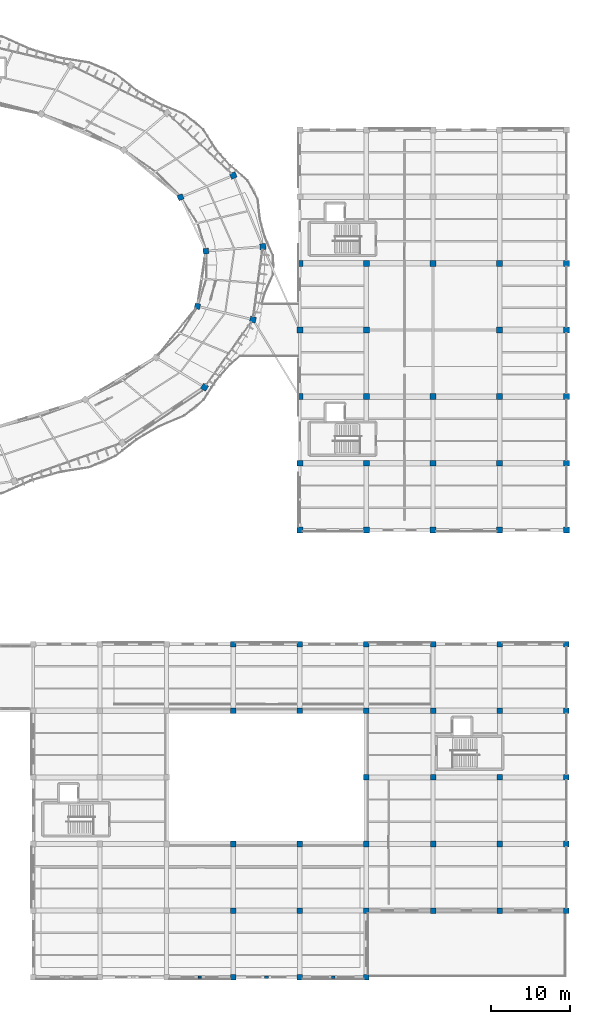
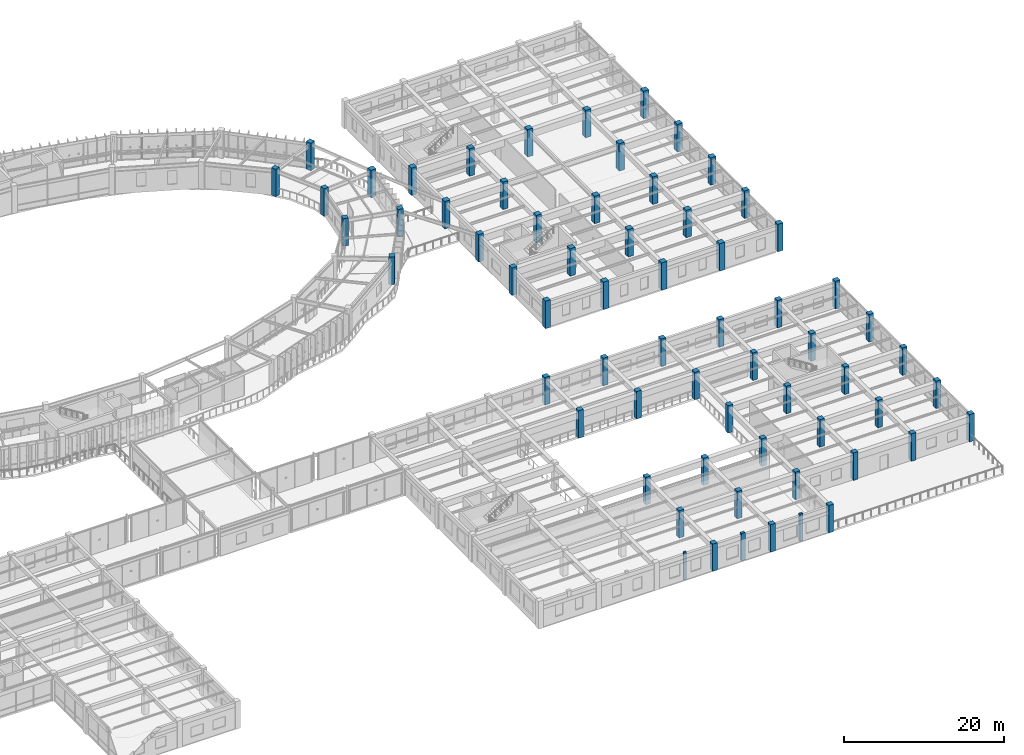
# One storey, part 7 of 152: 65 columns.
"""IFC4 building model written with IfcOpenShell, lengths in metres."""

from ifc_helpers import new_model, si_unit, direction, frame, origin, origin_2d, place, context, subcontext, project, spatial, rectangle, extrude, material, material_profile, profile_set, type_object, element, save


model = new_model("IFC4")

# Units and contexts
model_context = context("Model", 3, precision=1e-05, world=origin(), true_north=direction((0.0, 1.0)))
body_context = subcontext(model_context, "Body", "Model", "MODEL_VIEW")
ifc_project = project(units=[si_unit("LENGTHUNIT", "METRE"), si_unit("AREAUNIT", "SQUARE_METRE"), si_unit("VOLUMEUNIT", "CUBIC_METRE"), si_unit("PLANEANGLEUNIT", "RADIAN"), si_unit("MASSUNIT", "GRAM", prefix="KILO"), si_unit("THERMODYNAMICTEMPERATUREUNIT", "KELVIN"), si_unit("POWERUNIT", "WATT")], contexts=[model_context])

# Site, building, storey
site_placement = place(None, origin())
site = spatial("IfcSite", under=ifc_project, at=site_placement, CompositionType="ELEMENT")
building_placement = place(site_placement, origin())
building = spatial("IfcBuilding", under=site, at=building_placement, Name="Darbajah Civic Hall", CompositionType="ELEMENT")
storey_placement = place(building_placement, frame((0.0, 0.0, 5.39990234375)))
storey = spatial("IfcBuildingStorey", under=building, at=storey_placement, Name="L01", CompositionType="ELEMENT", Elevation=5.39990234375)

# Columns
ifc_material_1 = material(Name="Concrete C45/55", Category="concrete")
ifc_material_profile_1 = material_profile(ifc_material_1, rectangle(XDim=0.39990234375, YDim=0.25, at=origin_2d()), Name="PILASTER 400x250")
ifc_profile_set_1 = profile_set([ifc_material_profile_1], Name="Concrete C45/55")
column_type_1 = type_object("IfcColumnType", Name="PILASTER 400x250", PredefinedType="PILASTER", material=ifc_profile_set_1)
column_1_placement = place(storey_placement, frame((132.0, 0.0, 0.0), z_axis=(0.0, 0.0, 1.0), x_axis=(1.0, 0.0, 0.0)))
element("IfcColumn", 1, at=column_1_placement, inside=storey, type_object=column_type_1, Name="L01 column PL-400", PredefinedType="PILASTER", context=body_context, shape_type="SweptSolid", body=[
    extrude(rectangle(XDim=0.39990234375, YDim=0.25, at=origin_2d()), origin(), (0.0, 0.0, 1.0), 4.2001953125),
])
ifc_material_profile_2 = material_profile(ifc_material_1, rectangle(XDim=0.449951171875, YDim=0.300048828125, at=origin_2d()), Name="PILASTER 450x300")
ifc_profile_set_2 = profile_set([ifc_material_profile_2], Name="Concrete C45/55")
column_type_2 = type_object("IfcColumnType", Name="PILASTER 450x300", PredefinedType="PILASTER", material=ifc_profile_set_2)
column_2_placement = place(storey_placement, frame((148.800048828125, 0.0, 0.0), z_axis=(0.0, 0.0, 1.0), x_axis=(1.0, 0.0, 0.0)))
element("IfcColumn", 2, at=column_2_placement, inside=storey, type_object=column_type_2, Name="L01 column PL-450", PredefinedType="PILASTER", context=body_context, shape_type="SweptSolid", body=[
    extrude(rectangle(XDim=0.449951171875, YDim=0.300048828125, at=origin_2d()), origin(), (0.0, 0.0, 1.0), 4.2001953125),
])
ifc_material_profile_3 = material_profile(ifc_material_1, rectangle(XDim=0.550048828125, YDim=0.35009765625, at=origin_2d()), Name="PILASTER 550x350")
ifc_profile_set_3 = profile_set([ifc_material_profile_3], Name="Concrete C45/55")
column_type_3 = type_object("IfcColumnType", Name="PILASTER 550x350", PredefinedType="PILASTER", material=ifc_profile_set_3)
column_3_placement = place(storey_placement, frame((140.39990234375, 0.0, 0.0), z_axis=(0.0, 0.0, 1.0), x_axis=(1.0, 0.0, 0.0)))
element("IfcColumn", 3, at=column_3_placement, inside=storey, type_object=column_type_3, Name="L01 column PL-550", PredefinedType="PILASTER", context=body_context, shape_type="SweptSolid", body=[
    extrude(rectangle(XDim=0.550048828125, YDim=0.35009765625, at=origin_2d()), origin(), (0.0, 0.0, 1.0), 4.2001953125),
])
ifc_material_profile_4 = material_profile(ifc_material_1, rectangle(XDim=0.699951171875, YDim=0.699951171875, at=origin_2d()), Name="RC COL 700x700")
ifc_profile_set_4 = profile_set([ifc_material_profile_4], Name="Concrete C45/55")
column_type_4 = type_object("IfcColumnType", Name="RC COL 700x700", PredefinedType="COLUMN", material=ifc_profile_set_4)
for number, where, z_axis, x_axis, name in (
    (4, (132.764892578125, 91.549560546875, 0.0), (0.0, 0.0, 1.0), (0.996917333733, 0.078459095728, 0.0), "L01 column C-RC700"),
    (5, (129.56591796875, 98.333740234375, 0.0), (0.0, 0.0, 1.0), (0.923879532511, 0.382683432365, 0.0), "L01 column C-RC700"),
    (6, (131.689697265625, 84.59423828125, 0.0), (0.0, 0.0, 1.0), (0.972369920398, -0.233445363856, 0.0), "L01 column C-RC700"),
    (7, (136.199951171875, 0.0, 0.0), (0.0, 0.0, 1.0), (1.0, 0.0, 0.0), "L01 column C-RC700"),
    (8, (136.199951171875, 8.39990234375, 0.0), (0.0, 0.0, 1.0), (1.0, 0.0, 0.0), "L01 column C-RC700"),
    (9, (136.199951171875, 16.800048828125, 0.0), (0.0, 0.0, 1.0), (1.0, 0.0, 0.0), "L01 column C-RC700"),
    (10, (136.199951171875, 33.60009765625, 0.0), (0.0, 0.0, 1.0), (1.0, 0.0, 0.0), "L01 column C-RC700"),
    (11, (136.199951171875, 42.0, 0.0), (0.0, 0.0, 1.0), (1.0, 0.0, 0.0), "L01 column C-RC700"),
    (12, (144.60009765625, 0.0, 0.0), (0.0, 0.0, 1.0), (1.0, 0.0, 0.0), "L01 column C-RC700"),
    (13, (144.60009765625, 8.39990234375, 0.0), (0.0, 0.0, 1.0), (1.0, 0.0, 0.0), "L01 column C-RC700"),
    (14, (144.60009765625, 16.800048828125, 0.0), (0.0, 0.0, 1.0), (1.0, 0.0, 0.0), "L01 column C-RC700"),
    (15, (144.60009765625, 33.60009765625, 0.0), (0.0, 0.0, 1.0), (1.0, 0.0, 0.0), "L01 column C-RC700"),
    (16, (144.60009765625, 42.0, 0.0), (0.0, 0.0, 1.0), (1.0, 0.0, 0.0), "L01 column C-RC700"),
    (17, (153.0, 0.0, 0.0), (0.0, 0.0, 1.0), (1.0, 0.0, 0.0), "L01 column C-RC700"),
    (18, (153.0, 8.39990234375, 0.0), (0.0, 0.0, 1.0), (1.0, 0.0, 0.0), "L01 column C-RC700"),
    (19, (153.0, 16.800048828125, 0.0), (0.0, 0.0, 1.0), (1.0, 0.0, 0.0), "L01 column C-RC700"),
    (20, (153.0, 25.199951171875, 0.0), (0.0, 0.0, 1.0), (1.0, 0.0, 0.0), "L01 column C-RC700"),
    (21, (153.0, 33.60009765625, 0.0), (0.0, 0.0, 1.0), (1.0, 0.0, 0.0), "L01 column C-RC700"),
    (22, (153.0, 42.0, 0.0), (0.0, 0.0, 1.0), (1.0, 0.0, 0.0), "L01 column C-RC700"),
    (23, (161.39990234375, 8.39990234375, 0.0), (0.0, 0.0, 1.0), (1.0, 0.0, 0.0), "L01 column C-RC700"),
    (24, (161.39990234375, 16.800048828125, 0.0), (0.0, 0.0, 1.0), (1.0, 0.0, 0.0), "L01 column C-RC700"),
    (25, (161.39990234375, 25.199951171875, 0.0), (0.0, 0.0, 1.0), (1.0, 0.0, 0.0), "L01 column C-RC700"),
    (26, (161.39990234375, 33.60009765625, 0.0), (0.0, 0.0, 1.0), (1.0, 0.0, 0.0), "L01 column C-RC700"),
    (27, (161.39990234375, 42.0, 0.0), (0.0, 0.0, 1.0), (1.0, 0.0, 0.0), "L01 column C-RC700"),
    (28, (169.800048828125, 8.39990234375, 0.0), (0.0, 0.0, 1.0), (1.0, 0.0, 0.0), "L01 column C-RC700"),
    (29, (169.800048828125, 16.800048828125, 0.0), (0.0, 0.0, 1.0), (1.0, 0.0, 0.0), "L01 column C-RC700"),
    (30, (169.800048828125, 25.199951171875, 0.0), (0.0, 0.0, 1.0), (1.0, 0.0, 0.0), "L01 column C-RC700"),
    (31, (169.800048828125, 33.60009765625, 0.0), (0.0, 0.0, 1.0), (1.0, 0.0, 0.0), "L01 column C-RC700"),
    (32, (169.800048828125, 42.0, 0.0), (0.0, 0.0, 1.0), (1.0, 0.0, 0.0), "L01 column C-RC700"),
    (33, (178.199951171875, 8.39990234375, 0.0), (0.0, 0.0, 1.0), (1.0, 0.0, 0.0), "L01 column C-RC700"),
    (34, (178.199951171875, 16.800048828125, 0.0), (0.0, 0.0, 1.0), (1.0, 0.0, 0.0), "L01 column C-RC700"),
    (35, (178.199951171875, 25.199951171875, 0.0), (0.0, 0.0, 1.0), (1.0, 0.0, 0.0), "L01 column C-RC700"),
    (36, (178.199951171875, 33.60009765625, 0.0), (0.0, 0.0, 1.0), (1.0, 0.0, 0.0), "L01 column C-RC700"),
    (37, (178.199951171875, 42.0, 0.0), (0.0, 0.0, 1.0), (1.0, 0.0, 0.0), "L01 column C-RC700"),
):
    element("IfcColumn", number, at=place(storey_placement, frame(where, z_axis=z_axis, x_axis=x_axis)), inside=storey, type_object=column_type_4, Name=name, PredefinedType="COLUMN", context=body_context, shape_type="SweptSolid", body=[
        extrude(rectangle(XDim=0.699951171875, YDim=0.699951171875, at=origin_2d()), origin(), (0.0, 0.0, 1.0), 4.2001953125),
    ])
ifc_material_2 = material(Name="Concrete C50/60", Category="concrete")
ifc_material_profile_5 = material_profile(ifc_material_2, rectangle(XDim=0.75, YDim=0.75, at=origin_2d()), Name="RC COL 750x750")
ifc_profile_set_5 = profile_set([ifc_material_profile_5], Name="Concrete C50/60")
column_type_5 = type_object("IfcColumnType", Name="RC COL 750x750", PredefinedType="COLUMN", material=ifc_profile_set_5)
for number, where, z_axis, x_axis, name in (
    (38, (139.94287109375, 92.114501953125, 0.0), (0.0, 0.0, 1.0), (0.996917333733, 0.078459095728, 0.0), "L01 column C-RC750"),
    (39, (136.218017578125, 101.089111328125, 0.0), (0.0, 0.0, 1.0), (0.923879532511, 0.382683432365, 0.0), "L01 column C-RC750"),
    (40, (132.584716796875, 74.38623046875, 0.0), (0.0, 0.0, 1.0), (0.852640164354, -0.522498564716, 0.0), "L01 column C-RC750"),
    (41, (138.69091796875, 82.913330078125, 0.0), (0.0, 0.0, 1.0), (0.972369920398, -0.233445363856, 0.0), "L01 column C-RC750"),
    (42, (144.60009765625, 56.39990234375, 0.0), (0.0, 0.0, 1.0), (1.0, 0.0, 0.0), "L01 column C-RC750"),
    (43, (144.60009765625, 64.800048828125, 0.0), (0.0, 0.0, 1.0), (1.0, 0.0, 0.0), "L01 column C-RC750"),
    (44, (144.60009765625, 73.199951171875, 0.0), (0.0, 0.0, 1.0), (1.0, 0.0, 0.0), "L01 column C-RC750"),
    (45, (144.60009765625, 81.60009765625, 0.0), (0.0, 0.0, 1.0), (1.0, 0.0, 0.0), "L01 column C-RC750"),
    (46, (144.60009765625, 90.0, 0.0), (0.0, 0.0, 1.0), (1.0, 0.0, 0.0), "L01 column C-RC750"),
    (47, (153.0, 56.39990234375, 0.0), (0.0, 0.0, 1.0), (1.0, 0.0, 0.0), "L01 column C-RC750"),
    (48, (153.0, 64.800048828125, 0.0), (0.0, 0.0, 1.0), (1.0, 0.0, 0.0), "L01 column C-RC750"),
    (49, (153.0, 73.199951171875, 0.0), (0.0, 0.0, 1.0), (1.0, 0.0, 0.0), "L01 column C-RC750"),
    (50, (153.0, 81.60009765625, 0.0), (0.0, 0.0, 1.0), (1.0, 0.0, 0.0), "L01 column C-RC750"),
    (51, (153.0, 90.0, 0.0), (0.0, 0.0, 1.0), (1.0, 0.0, 0.0), "L01 column C-RC750"),
    (52, (161.39990234375, 56.39990234375, 0.0), (0.0, 0.0, 1.0), (1.0, 0.0, 0.0), "L01 column C-RC750"),
    (53, (161.39990234375, 64.800048828125, 0.0), (0.0, 0.0, 1.0), (1.0, 0.0, 0.0), "L01 column C-RC750"),
    (54, (161.39990234375, 73.199951171875, 0.0), (0.0, 0.0, 1.0), (1.0, 0.0, 0.0), "L01 column C-RC750"),
    (55, (161.39990234375, 90.0, 0.0), (0.0, 0.0, 1.0), (1.0, 0.0, 0.0), "L01 column C-RC750"),
    (56, (169.800048828125, 56.39990234375, 0.0), (0.0, 0.0, 1.0), (1.0, 0.0, 0.0), "L01 column C-RC750"),
    (57, (169.800048828125, 64.800048828125, 0.0), (0.0, 0.0, 1.0), (1.0, 0.0, 0.0), "L01 column C-RC750"),
    (58, (169.800048828125, 73.199951171875, 0.0), (0.0, 0.0, 1.0), (1.0, 0.0, 0.0), "L01 column C-RC750"),
    (59, (169.800048828125, 81.60009765625, 0.0), (0.0, 0.0, 1.0), (1.0, 0.0, 0.0), "L01 column C-RC750"),
    (60, (169.800048828125, 90.0, 0.0), (0.0, 0.0, 1.0), (1.0, 0.0, 0.0), "L01 column C-RC750"),
    (61, (178.199951171875, 56.39990234375, 0.0), (0.0, 0.0, 1.0), (1.0, 0.0, 0.0), "L01 column C-RC750"),
    (62, (178.199951171875, 64.800048828125, 0.0), (0.0, 0.0, 1.0), (1.0, 0.0, 0.0), "L01 column C-RC750"),
    (63, (178.199951171875, 73.199951171875, 0.0), (0.0, 0.0, 1.0), (1.0, 0.0, 0.0), "L01 column C-RC750"),
    (64, (178.199951171875, 81.60009765625, 0.0), (0.0, 0.0, 1.0), (1.0, 0.0, 0.0), "L01 column C-RC750"),
    (65, (178.199951171875, 90.0, 0.0), (0.0, 0.0, 1.0), (1.0, 0.0, 0.0), "L01 column C-RC750"),
):
    element("IfcColumn", number, at=place(storey_placement, frame(where, z_axis=z_axis, x_axis=x_axis)), inside=storey, type_object=column_type_5, Name=name, PredefinedType="COLUMN", context=body_context, shape_type="SweptSolid", body=[
        extrude(rectangle(XDim=0.75, YDim=0.75, at=origin_2d()), origin(), (0.0, 0.0, 1.0), 4.2001953125),
    ])

save(model, "model.ifc")
